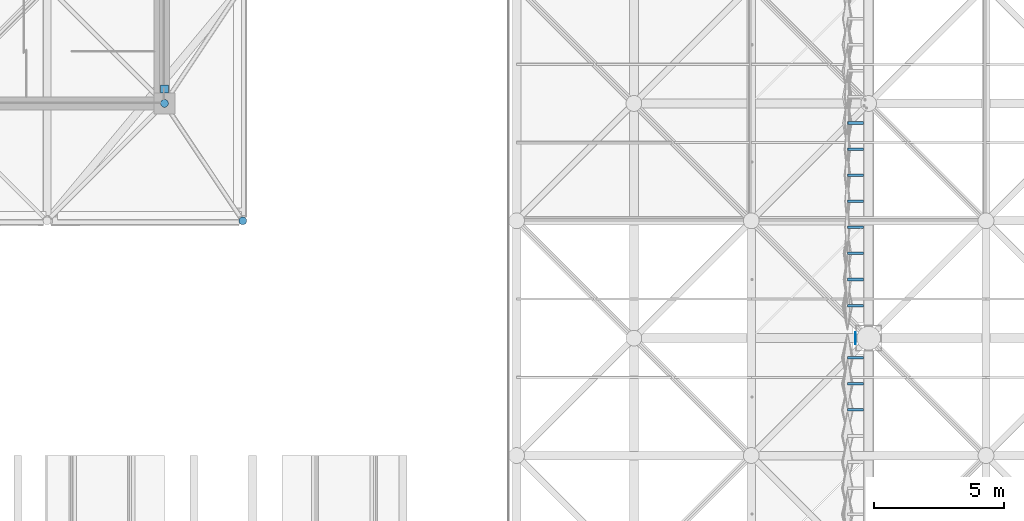
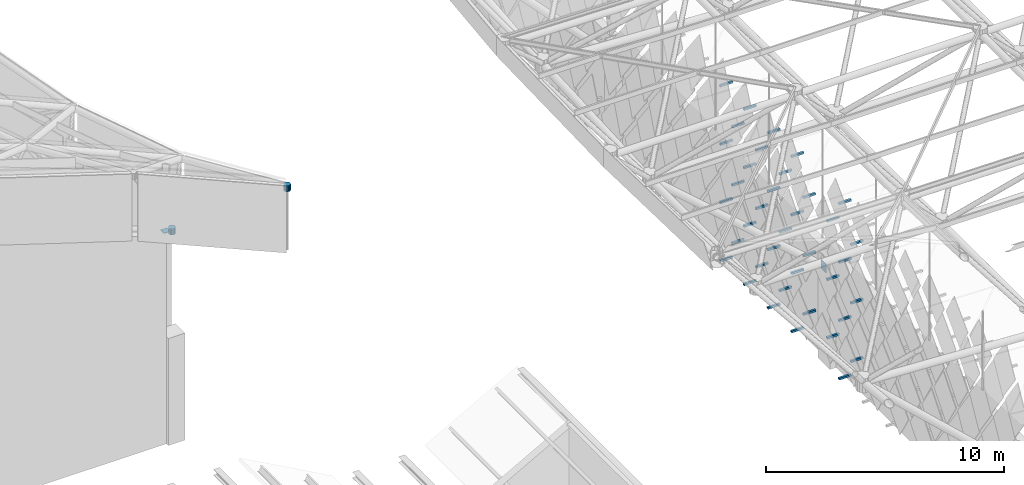
# One storey, part 360 of 437: 42 discrete accessories.
"""IFC4 building model written with IfcOpenShell, lengths in metres."""

from ifc_helpers import new_model, si_unit, direction, frame, origin, origin_2d, place, context, subcontext, project, spatial, polyline, rectangle, outline, extrude, material, layer, layer_set, type_object, element, save


model = new_model("IFC4")

# Units and contexts
model_context = context("Model", 3, precision=1e-05, world=origin(), true_north=direction((0.0, 1.0)))
body_context = subcontext(model_context, "Body", "Model", "MODEL_VIEW")
ifc_project = project(units=[si_unit("LENGTHUNIT", "METRE"), si_unit("AREAUNIT", "SQUARE_METRE"), si_unit("VOLUMEUNIT", "CUBIC_METRE"), si_unit("PLANEANGLEUNIT", "RADIAN"), si_unit("MASSUNIT", "GRAM", prefix="KILO")], contexts=[model_context])

# Site, building, storey
site_placement = place(None, origin())
site = spatial("IfcSite", under=ifc_project, at=site_placement, CompositionType="ELEMENT")
building_placement = place(site_placement, origin())
building = spatial("IfcBuilding", under=site, at=building_placement, Name="Opaline Strait Convention Centre", CompositionType="ELEMENT")
storey_placement = place(building_placement, frame((0.0, 0.0, 11.5)))
storey = spatial("IfcBuildingStorey", under=building, at=storey_placement, Name="L02", CompositionType="ELEMENT", Elevation=11.5)

# Discrete accessories
ifc_material_1 = material(Name="Steel Q355B", Category="steel")
ifc_layer_1 = layer(ifc_material_1, 0.02001953125)
ifc_layer_set_1 = layer_set([ifc_layer_1], Name="Steel Q355B")
discrete_accessory_type_1 = type_object("IfcDiscreteAccessoryType", Name="Cast-in anchor plate 300 x 300 x 20", PredefinedType="ANCHORPLATE", material=ifc_layer_set_1)
discrete_accessory_1_placement = place(storey_placement, frame((72.0, 117.5498046875, 10.3134765625), z_axis=(0.0, 0.0, 1.0), x_axis=(1.0, 0.0, 0.0)))
element("IfcDiscreteAccessory", 1, at=discrete_accessory_1_placement, inside=storey, type_object=discrete_accessory_type_1, Name="Cast-in anchor plate at PWB1 web 8-1ad", PredefinedType="ANCHORPLATE", context=body_context, shape_type="SweptSolid", body=[
    extrude(rectangle(XDim=0.300048828125, YDim=0.300048828125, at=origin_2d()), origin(), (0.0, 0.0, 1.0), 0.02001953125),
])
ifc_material_2 = material(Name="Structural steel Q355B", Category="steel")
ifc_layer_2 = layer(ifc_material_2, 0.01611328125)
ifc_layer_set_2 = layer_set([ifc_layer_2], Name="Structural steel Q355B")
discrete_accessory_type_2 = type_object("IfcDiscreteAccessoryType", Name="Prop bearing plate 450 x 450 x 16", PredefinedType="ANCHORPLATE", material=ifc_layer_set_2)
discrete_accessory_2_placement = place(storey_placement, frame((0.0, 0.0, 4.7890625)))
element("IfcDiscreteAccessory", 2, at=discrete_accessory_2_placement, inside=storey, type_object=discrete_accessory_type_2, Name="Prop bearing plate 99/108 W", PredefinedType="ANCHORPLATE", context=body_context, shape_type="SweptSolid", body=[
    extrude(outline(polyline([(98.48388671875, 107.77490234375), (98.5, 107.77490234375), (98.5, 108.22509765625), (98.48388671875, 108.22509765625), (98.48388671875, 107.77490234375)])), origin(), (0.0, 0.0, 1.0), 0.449951171875),
])
ifc_material_3 = material(Name="Cast steel ZG300-500H (300 MPa)", Category="steel")
discrete_accessory_type_3 = type_object("IfcDiscreteAccessoryType", Name="Shell node hub D300 cast steel", PredefinedType="USERDEFINED", material=ifc_material_3)
discrete_accessory_3_placement = place(storey_placement, frame((0.0, 0.0, 10.5400390625)))
element("IfcDiscreteAccessory", 3, at=discrete_accessory_3_placement, inside=storey, type_object=discrete_accessory_type_3, Name="PNH1 node hub B8-1", ObjectType="NODE HUB", PredefinedType="USERDEFINED", context=body_context, shape_type="SweptSolid", body=[
    extrude(outline(polyline([(72.14990234375, 117.02978515625), (72.127197265625, 117.0849609375), (72.0849609375, 117.127197265625), (72.02978515625, 117.14990234375), (71.97021484375, 117.14990234375), (71.9150390625, 117.127197265625), (71.872802734375, 117.0849609375), (71.85009765625, 117.02978515625), (71.85009765625, 116.97021484375), (71.872802734375, 116.9150390625), (71.9150390625, 116.872802734375), (71.97021484375, 116.85009765625), (72.02978515625, 116.85009765625), (72.0849609375, 116.872802734375), (72.127197265625, 116.9150390625), (72.14990234375, 116.97021484375), (72.14990234375, 117.02978515625)])), origin(), (0.0, 0.0, 1.0), 0.31005859375),
])
discrete_accessory_4_placement = place(storey_placement, frame((0.0, 0.0, 14.43603515625)))
element("IfcDiscreteAccessory", 4, at=discrete_accessory_4_placement, inside=storey, type_object=discrete_accessory_type_3, Name="PNH1 node hub T9-1", ObjectType="NODE HUB", PredefinedType="USERDEFINED", context=body_context, shape_type="SweptSolid", body=[
    extrude(outline(polyline([(75.14990234375, 112.52978515625), (75.127197265625, 112.5849609375), (75.0849609375, 112.627197265625), (75.02978515625, 112.64990234375), (74.97021484375, 112.64990234375), (74.9150390625, 112.627197265625), (74.872802734375, 112.5849609375), (74.85009765625, 112.52978515625), (74.85009765625, 112.47021484375), (74.872802734375, 112.4150390625), (74.9150390625, 112.372802734375), (74.97021484375, 112.35009765625), (75.02978515625, 112.35009765625), (75.0849609375, 112.372802734375), (75.127197265625, 112.4150390625), (75.14990234375, 112.47021484375), (75.14990234375, 112.52978515625)])), origin(), (0.0, 0.0, 1.0), 0.31005859375),
])
discrete_accessory_type_4 = type_object("IfcDiscreteAccessoryType", Name="Tile bracket 100x100 steel", PredefinedType="BRACKET", material=ifc_material_1)
discrete_accessory_5_placement = place(storey_placement, frame((98.800048828125, 116.300048828125, 0.39208984375), z_axis=(0.0, -1.0, 0.0), x_axis=(1.0, 0.0, 0.0)))
element("IfcDiscreteAccessory", 5, at=discrete_accessory_5_placement, inside=storey, type_object=discrete_accessory_type_4, Name="Tile bracket XT06 W", PredefinedType="BRACKET", context=body_context, shape_type="SweptSolid", body=[
    extrude(outline(polyline([(0.0, -0.050048828125), (0.0, 0.050048828125), (-0.6025390625, 0.050048828125), (-0.597412109375, -0.050048828125), (0.0, -0.050048828125)])), origin(), (0.0, 0.0, 1.0), 0.10009765625),
])
discrete_accessory_6_placement = place(storey_placement, frame((98.800048828125, 114.300048828125, 0.39208984375), z_axis=(0.0, -1.0, 0.0), x_axis=(1.0, 0.0, 0.0)))
element("IfcDiscreteAccessory", 6, at=discrete_accessory_6_placement, inside=storey, type_object=discrete_accessory_type_4, Name="Tile bracket XT08 W", PredefinedType="BRACKET", context=body_context, shape_type="SweptSolid", body=[
    extrude(outline(polyline([(0.0, -0.050048828125), (0.0, 0.050048828125), (-0.603515625, 0.050048828125), (-0.596435546875, -0.050048828125), (0.0, -0.050048828125)])), origin(), (0.0, 0.0, 1.0), 0.10009765625),
])
discrete_accessory_7_placement = place(storey_placement, frame((98.800048828125, 112.300048828125, 0.39208984375), z_axis=(0.0, -1.0, 0.0), x_axis=(1.0, 0.0, 0.0)))
element("IfcDiscreteAccessory", 7, at=discrete_accessory_7_placement, inside=storey, type_object=discrete_accessory_type_4, Name="Tile bracket XT13 W", PredefinedType="BRACKET", context=body_context, shape_type="SweptSolid", body=[
    extrude(outline(polyline([(0.0, -0.050048828125), (0.0, 0.050048828125), (-0.605712890625, 0.050048828125), (-0.59423828125, -0.050048828125), (0.0, -0.050048828125)])), origin(), (0.0, 0.0, 1.0), 0.10009765625),
])
for number, where, z_axis, x_axis, name in (
    (8, (98.800048828125, 110.300048828125, 0.39208984375), (0.0, -1.0, 0.0), (1.0, 0.0, 0.0), "Tile bracket XT16 W"),
    (9, (98.800048828125, 106.300048828125, 0.39208984375), (0.0, -1.0, 0.0), (1.0, 0.0, 0.0), "Tile bracket XT16 W"),
):
    element("IfcDiscreteAccessory", number, at=place(storey_placement, frame(where, z_axis=z_axis, x_axis=x_axis)), inside=storey, type_object=discrete_accessory_type_4, Name=name, PredefinedType="BRACKET", context=body_context, shape_type="SweptSolid", body=[
        extrude(outline(polyline([(0.0, -0.050048828125), (0.0, 0.050048828125), (-0.60693359375, 0.050048828125), (-0.593017578125, -0.050048828125), (0.0, -0.050048828125)])), origin(), (0.0, 0.0, 1.0), 0.10009765625),
    ])
discrete_accessory_8_placement = place(storey_placement, frame((98.800048828125, 115.300048828125, 1.89208984375), z_axis=(0.0, -1.0, 0.0), x_axis=(1.0, 0.0, 0.0)))
element("IfcDiscreteAccessory", 10, at=discrete_accessory_8_placement, inside=storey, type_object=discrete_accessory_type_4, Name="Tile bracket XT06 W", PredefinedType="BRACKET", context=body_context, shape_type="SweptSolid", body=[
    extrude(outline(polyline([(0.0, -0.050048828125), (0.0, 0.050048828125), (-0.6025390625, 0.050048828125), (-0.597412109375, -0.050048828125), (0.0, -0.050048828125)])), origin(), (0.0, 0.0, 1.0), 0.10009765625),
])
discrete_accessory_9_placement = place(storey_placement, frame((98.800048828125, 113.300048828125, 1.89208984375), z_axis=(0.0, -1.0, 0.0), x_axis=(1.0, 0.0, 0.0)))
element("IfcDiscreteAccessory", 11, at=discrete_accessory_9_placement, inside=storey, type_object=discrete_accessory_type_4, Name="Tile bracket XT07 W", PredefinedType="BRACKET", context=body_context, shape_type="SweptSolid", body=[
    extrude(outline(polyline([(0.0, -0.050048828125), (0.0, 0.050048828125), (-0.60302734375, 0.050048828125), (-0.596923828125, -0.050048828125), (0.0, -0.050048828125)])), origin(), (0.0, 0.0, 1.0), 0.10009765625),
])
discrete_accessory_10_placement = place(storey_placement, frame((98.800048828125, 111.300048828125, 1.89208984375), z_axis=(0.0, -1.0, 0.0), x_axis=(1.0, 0.0, 0.0)))
element("IfcDiscreteAccessory", 12, at=discrete_accessory_10_placement, inside=storey, type_object=discrete_accessory_type_4, Name="Tile bracket XT12 W", PredefinedType="BRACKET", context=body_context, shape_type="SweptSolid", body=[
    extrude(outline(polyline([(0.0, -0.050048828125), (0.0, 0.050048828125), (-0.605224609375, 0.050048828125), (-0.5947265625, -0.050048828125), (0.0, -0.050048828125)])), origin(), (0.0, 0.0, 1.0), 0.10009765625),
])
discrete_accessory_11_placement = place(storey_placement, frame((98.800048828125, 109.300048828125, 1.89208984375), z_axis=(0.0, -1.0, 0.0), x_axis=(1.0, 0.0, 0.0)))
element("IfcDiscreteAccessory", 13, at=discrete_accessory_11_placement, inside=storey, type_object=discrete_accessory_type_4, Name="Tile bracket XT16 W", PredefinedType="BRACKET", context=body_context, shape_type="SweptSolid", body=[
    extrude(outline(polyline([(0.0, -0.050048828125), (0.0, 0.050048828125), (-0.60693359375, 0.050048828125), (-0.593017578125, -0.050048828125), (0.0, -0.050048828125)])), origin(), (0.0, 0.0, 1.0), 0.10009765625),
])
discrete_accessory_12_placement = place(storey_placement, frame((98.800048828125, 107.300048828125, 1.89208984375), z_axis=(0.0, -1.0, 0.0), x_axis=(1.0, 0.0, 0.0)))
element("IfcDiscreteAccessory", 14, at=discrete_accessory_12_placement, inside=storey, type_object=discrete_accessory_type_4, Name="Tile bracket XT17 W", PredefinedType="BRACKET", context=body_context, shape_type="SweptSolid", body=[
    extrude(outline(polyline([(0.0, -0.050048828125), (0.0, 0.050048828125), (-0.607421875, 0.050048828125), (-0.592529296875, -0.050048828125), (0.0, -0.050048828125)])), origin(), (0.0, 0.0, 1.0), 0.10009765625),
])
discrete_accessory_13_placement = place(storey_placement, frame((98.800048828125, 105.300048828125, 1.89208984375), z_axis=(0.0, -1.0, 0.0), x_axis=(1.0, 0.0, 0.0)))
element("IfcDiscreteAccessory", 15, at=discrete_accessory_13_placement, inside=storey, type_object=discrete_accessory_type_4, Name="Tile bracket XT16 W", PredefinedType="BRACKET", context=body_context, shape_type="SweptSolid", body=[
    extrude(outline(polyline([(0.0, -0.050048828125), (0.0, 0.050048828125), (-0.60693359375, 0.050048828125), (-0.593017578125, -0.050048828125), (0.0, -0.050048828125)])), origin(), (0.0, 0.0, 1.0), 0.10009765625),
])
discrete_accessory_14_placement = place(storey_placement, frame((98.800048828125, 116.300048828125, 3.39208984375), z_axis=(0.0, -1.0, 0.0), x_axis=(1.0, 0.0, 0.0)))
element("IfcDiscreteAccessory", 16, at=discrete_accessory_14_placement, inside=storey, type_object=discrete_accessory_type_4, Name="Tile bracket XT06 W", PredefinedType="BRACKET", context=body_context, shape_type="SweptSolid", body=[
    extrude(outline(polyline([(0.0, -0.050048828125), (0.0, 0.050048828125), (-0.597412109375, 0.050048828125), (-0.6025390625, -0.050048828125), (0.0, -0.050048828125)])), origin(), (0.0, 0.0, 1.0), 0.10009765625),
])
discrete_accessory_15_placement = place(storey_placement, frame((98.800048828125, 114.300048828125, 3.39208984375), z_axis=(0.0, -1.0, 0.0), x_axis=(1.0, 0.0, 0.0)))
element("IfcDiscreteAccessory", 17, at=discrete_accessory_15_placement, inside=storey, type_object=discrete_accessory_type_4, Name="Tile bracket XT06 W", PredefinedType="BRACKET", context=body_context, shape_type="SweptSolid", body=[
    extrude(outline(polyline([(0.0, -0.050048828125), (0.0, 0.050048828125), (-0.6025390625, 0.050048828125), (-0.597412109375, -0.050048828125), (0.0, -0.050048828125)])), origin(), (0.0, 0.0, 1.0), 0.10009765625),
])
discrete_accessory_16_placement = place(storey_placement, frame((98.800048828125, 112.300048828125, 3.39208984375), z_axis=(0.0, -1.0, 0.0), x_axis=(1.0, 0.0, 0.0)))
element("IfcDiscreteAccessory", 18, at=discrete_accessory_16_placement, inside=storey, type_object=discrete_accessory_type_4, Name="Tile bracket XT07 W", PredefinedType="BRACKET", context=body_context, shape_type="SweptSolid", body=[
    extrude(outline(polyline([(0.0, -0.050048828125), (0.0, 0.050048828125), (-0.60302734375, 0.050048828125), (-0.596923828125, -0.050048828125), (0.0, -0.050048828125)])), origin(), (0.0, 0.0, 1.0), 0.10009765625),
])
discrete_accessory_17_placement = place(storey_placement, frame((98.800048828125, 110.300048828125, 3.39208984375), z_axis=(0.0, -1.0, 0.0), x_axis=(1.0, 0.0, 0.0)))
element("IfcDiscreteAccessory", 19, at=discrete_accessory_17_placement, inside=storey, type_object=discrete_accessory_type_4, Name="Tile bracket XT12 W", PredefinedType="BRACKET", context=body_context, shape_type="SweptSolid", body=[
    extrude(outline(polyline([(0.0, -0.050048828125), (0.0, 0.050048828125), (-0.605224609375, 0.050048828125), (-0.5947265625, -0.050048828125), (0.0, -0.050048828125)])), origin(), (0.0, 0.0, 1.0), 0.10009765625),
])
discrete_accessory_18_placement = place(storey_placement, frame((98.800048828125, 106.300048828125, 3.39208984375), z_axis=(0.0, -1.0, 0.0), x_axis=(1.0, 0.0, 0.0)))
element("IfcDiscreteAccessory", 20, at=discrete_accessory_18_placement, inside=storey, type_object=discrete_accessory_type_4, Name="Tile bracket XT17 W", PredefinedType="BRACKET", context=body_context, shape_type="SweptSolid", body=[
    extrude(outline(polyline([(0.0, -0.050048828125), (0.0, 0.050048828125), (-0.607421875, 0.050048828125), (-0.592529296875, -0.050048828125), (0.0, -0.050048828125)])), origin(), (0.0, 0.0, 1.0), 0.10009765625),
])
discrete_accessory_19_placement = place(storey_placement, frame((98.800048828125, 115.300048828125, 4.89208984375), z_axis=(0.0, -1.0, 0.0), x_axis=(1.0, 0.0, 0.0)))
element("IfcDiscreteAccessory", 21, at=discrete_accessory_19_placement, inside=storey, type_object=discrete_accessory_type_4, Name="Tile bracket XT06 W", PredefinedType="BRACKET", context=body_context, shape_type="SweptSolid", body=[
    extrude(outline(polyline([(0.0, -0.050048828125), (0.0, 0.050048828125), (-0.597412109375, 0.050048828125), (-0.6025390625, -0.050048828125), (0.0, -0.050048828125)])), origin(), (0.0, 0.0, 1.0), 0.10009765625),
])
discrete_accessory_20_placement = place(storey_placement, frame((98.800048828125, 113.300048828125, 4.89208984375), z_axis=(0.0, -1.0, 0.0), x_axis=(1.0, 0.0, 0.0)))
element("IfcDiscreteAccessory", 22, at=discrete_accessory_20_placement, inside=storey, type_object=discrete_accessory_type_4, Name="Tile bracket XT06 W", PredefinedType="BRACKET", context=body_context, shape_type="SweptSolid", body=[
    extrude(outline(polyline([(0.0, -0.050048828125), (0.0, 0.050048828125), (-0.6025390625, 0.050048828125), (-0.597412109375, -0.050048828125), (0.0, -0.050048828125)])), origin(), (0.0, 0.0, 1.0), 0.10009765625),
])
discrete_accessory_21_placement = place(storey_placement, frame((98.800048828125, 111.300048828125, 4.89208984375), z_axis=(0.0, -1.0, 0.0), x_axis=(1.0, 0.0, 0.0)))
element("IfcDiscreteAccessory", 23, at=discrete_accessory_21_placement, inside=storey, type_object=discrete_accessory_type_4, Name="Tile bracket XT07 W", PredefinedType="BRACKET", context=body_context, shape_type="SweptSolid", body=[
    extrude(outline(polyline([(0.0, -0.050048828125), (0.0, 0.050048828125), (-0.60302734375, 0.050048828125), (-0.596923828125, -0.050048828125), (0.0, -0.050048828125)])), origin(), (0.0, 0.0, 1.0), 0.10009765625),
])
discrete_accessory_22_placement = place(storey_placement, frame((98.800048828125, 109.300048828125, 4.89208984375), z_axis=(0.0, -1.0, 0.0), x_axis=(1.0, 0.0, 0.0)))
element("IfcDiscreteAccessory", 24, at=discrete_accessory_22_placement, inside=storey, type_object=discrete_accessory_type_4, Name="Tile bracket XT12 W", PredefinedType="BRACKET", context=body_context, shape_type="SweptSolid", body=[
    extrude(outline(polyline([(0.0, -0.050048828125), (0.0, 0.050048828125), (-0.605224609375, 0.050048828125), (-0.5947265625, -0.050048828125), (0.0, -0.050048828125)])), origin(), (0.0, 0.0, 1.0), 0.10009765625),
])
discrete_accessory_23_placement = place(storey_placement, frame((98.800048828125, 107.300048828125, 4.89208984375), z_axis=(0.0, -1.0, 0.0), x_axis=(1.0, 0.0, 0.0)))
element("IfcDiscreteAccessory", 25, at=discrete_accessory_23_placement, inside=storey, type_object=discrete_accessory_type_4, Name="Tile bracket XT15 W", PredefinedType="BRACKET", context=body_context, shape_type="SweptSolid", body=[
    extrude(outline(polyline([(0.0, -0.050048828125), (0.0, 0.050048828125), (-0.606689453125, 0.050048828125), (-0.593505859375, -0.050048828125), (0.0, -0.050048828125)])), origin(), (0.0, 0.0, 1.0), 0.10009765625),
])
discrete_accessory_24_placement = place(storey_placement, frame((98.800048828125, 105.300048828125, 4.89208984375), z_axis=(0.0, -1.0, 0.0), x_axis=(1.0, 0.0, 0.0)))
element("IfcDiscreteAccessory", 26, at=discrete_accessory_24_placement, inside=storey, type_object=discrete_accessory_type_4, Name="Tile bracket XT17 W", PredefinedType="BRACKET", context=body_context, shape_type="SweptSolid", body=[
    extrude(outline(polyline([(0.0, -0.050048828125), (0.0, 0.050048828125), (-0.607421875, 0.050048828125), (-0.592529296875, -0.050048828125), (0.0, -0.050048828125)])), origin(), (0.0, 0.0, 1.0), 0.10009765625),
])
discrete_accessory_25_placement = place(storey_placement, frame((98.800048828125, 116.300048828125, 6.39208984375), z_axis=(0.0, -1.0, 0.0), x_axis=(1.0, 0.0, 0.0)))
element("IfcDiscreteAccessory", 27, at=discrete_accessory_25_placement, inside=storey, type_object=discrete_accessory_type_4, Name="Tile bracket XT10 W", PredefinedType="BRACKET", context=body_context, shape_type="SweptSolid", body=[
    extrude(outline(polyline([(0.0, -0.050048828125), (0.0, 0.050048828125), (-0.595703125, 0.050048828125), (-0.604248046875, -0.050048828125), (0.0, -0.050048828125)])), origin(), (0.0, 0.0, 1.0), 0.10009765625),
])
discrete_accessory_26_placement = place(storey_placement, frame((98.800048828125, 114.300048828125, 6.39208984375), z_axis=(0.0, -1.0, 0.0), x_axis=(1.0, 0.0, 0.0)))
element("IfcDiscreteAccessory", 28, at=discrete_accessory_26_placement, inside=storey, type_object=discrete_accessory_type_4, Name="Tile bracket XT06 W", PredefinedType="BRACKET", context=body_context, shape_type="SweptSolid", body=[
    extrude(outline(polyline([(0.0, -0.050048828125), (0.0, 0.050048828125), (-0.597412109375, 0.050048828125), (-0.6025390625, -0.050048828125), (0.0, -0.050048828125)])), origin(), (0.0, 0.0, 1.0), 0.10009765625),
])
discrete_accessory_27_placement = place(storey_placement, frame((98.800048828125, 112.300048828125, 6.39208984375), z_axis=(0.0, -1.0, 0.0), x_axis=(1.0, 0.0, 0.0)))
element("IfcDiscreteAccessory", 29, at=discrete_accessory_27_placement, inside=storey, type_object=discrete_accessory_type_4, Name="Tile bracket XT06 W", PredefinedType="BRACKET", context=body_context, shape_type="SweptSolid", body=[
    extrude(outline(polyline([(0.0, -0.050048828125), (0.0, 0.050048828125), (-0.6025390625, 0.050048828125), (-0.597412109375, -0.050048828125), (0.0, -0.050048828125)])), origin(), (0.0, 0.0, 1.0), 0.10009765625),
])
discrete_accessory_28_placement = place(storey_placement, frame((98.800048828125, 110.300048828125, 6.39208984375), z_axis=(0.0, -1.0, 0.0), x_axis=(1.0, 0.0, 0.0)))
element("IfcDiscreteAccessory", 30, at=discrete_accessory_28_placement, inside=storey, type_object=discrete_accessory_type_4, Name="Tile bracket XT07 W", PredefinedType="BRACKET", context=body_context, shape_type="SweptSolid", body=[
    extrude(outline(polyline([(0.0, -0.050048828125), (0.0, 0.050048828125), (-0.60302734375, 0.050048828125), (-0.596923828125, -0.050048828125), (0.0, -0.050048828125)])), origin(), (0.0, 0.0, 1.0), 0.10009765625),
])
discrete_accessory_29_placement = place(storey_placement, frame((98.800048828125, 106.300048828125, 6.39208984375), z_axis=(0.0, -1.0, 0.0), x_axis=(1.0, 0.0, 0.0)))
element("IfcDiscreteAccessory", 31, at=discrete_accessory_29_placement, inside=storey, type_object=discrete_accessory_type_4, Name="Tile bracket XT15 W", PredefinedType="BRACKET", context=body_context, shape_type="SweptSolid", body=[
    extrude(outline(polyline([(0.0, -0.050048828125), (0.0, 0.050048828125), (-0.606689453125, 0.050048828125), (-0.593505859375, -0.050048828125), (0.0, -0.050048828125)])), origin(), (0.0, 0.0, 1.0), 0.10009765625),
])
discrete_accessory_30_placement = place(storey_placement, frame((98.800048828125, 115.300048828125, 7.89208984375), z_axis=(0.0, -1.0, 0.0), x_axis=(1.0, 0.0, 0.0)))
element("IfcDiscreteAccessory", 32, at=discrete_accessory_30_placement, inside=storey, type_object=discrete_accessory_type_4, Name="Tile bracket XT10 W", PredefinedType="BRACKET", context=body_context, shape_type="SweptSolid", body=[
    extrude(outline(polyline([(0.0, -0.050048828125), (0.0, 0.050048828125), (-0.595703125, 0.050048828125), (-0.604248046875, -0.050048828125), (0.0, -0.050048828125)])), origin(), (0.0, 0.0, 1.0), 0.10009765625),
])
discrete_accessory_31_placement = place(storey_placement, frame((98.800048828125, 113.300048828125, 7.89208984375), z_axis=(0.0, -1.0, 0.0), x_axis=(1.0, 0.0, 0.0)))
element("IfcDiscreteAccessory", 33, at=discrete_accessory_31_placement, inside=storey, type_object=discrete_accessory_type_4, Name="Tile bracket XT06 W", PredefinedType="BRACKET", context=body_context, shape_type="SweptSolid", body=[
    extrude(outline(polyline([(0.0, -0.050048828125), (0.0, 0.050048828125), (-0.597412109375, 0.050048828125), (-0.6025390625, -0.050048828125), (0.0, -0.050048828125)])), origin(), (0.0, 0.0, 1.0), 0.10009765625),
])
for number, where, z_axis, x_axis, name in (
    (34, (98.800048828125, 111.300048828125, 7.89208984375), (0.0, -1.0, 0.0), (1.0, 0.0, 0.0), "Tile bracket XT06 W"),
    (35, (98.800048828125, 109.300048828125, 7.89208984375), (0.0, -1.0, 0.0), (1.0, 0.0, 0.0), "Tile bracket XT06 W"),
):
    element("IfcDiscreteAccessory", number, at=place(storey_placement, frame(where, z_axis=z_axis, x_axis=x_axis)), inside=storey, type_object=discrete_accessory_type_4, Name=name, PredefinedType="BRACKET", context=body_context, shape_type="SweptSolid", body=[
        extrude(outline(polyline([(0.0, -0.050048828125), (0.0, 0.050048828125), (-0.6025390625, 0.050048828125), (-0.597412109375, -0.050048828125), (0.0, -0.050048828125)])), origin(), (0.0, 0.0, 1.0), 0.10009765625),
    ])
discrete_accessory_32_placement = place(storey_placement, frame((98.800048828125, 107.300048828125, 7.89208984375), z_axis=(0.0, -1.0, 0.0), x_axis=(1.0, 0.0, 0.0)))
element("IfcDiscreteAccessory", 36, at=discrete_accessory_32_placement, inside=storey, type_object=discrete_accessory_type_4, Name="Tile bracket XT11 W", PredefinedType="BRACKET", context=body_context, shape_type="SweptSolid", body=[
    extrude(outline(polyline([(0.0, -0.050048828125), (0.0, 0.050048828125), (-0.604736328125, 0.050048828125), (-0.59521484375, -0.050048828125), (0.0, -0.050048828125)])), origin(), (0.0, 0.0, 1.0), 0.10009765625),
])
discrete_accessory_33_placement = place(storey_placement, frame((98.800048828125, 105.300048828125, 7.89208984375), z_axis=(0.0, -1.0, 0.0), x_axis=(1.0, 0.0, 0.0)))
element("IfcDiscreteAccessory", 37, at=discrete_accessory_33_placement, inside=storey, type_object=discrete_accessory_type_4, Name="Tile bracket XT15 W", PredefinedType="BRACKET", context=body_context, shape_type="SweptSolid", body=[
    extrude(outline(polyline([(0.0, -0.050048828125), (0.0, 0.050048828125), (-0.606689453125, 0.050048828125), (-0.593505859375, -0.050048828125), (0.0, -0.050048828125)])), origin(), (0.0, 0.0, 1.0), 0.10009765625),
])
discrete_accessory_34_placement = place(storey_placement, frame((98.800048828125, 116.300048828125, 9.39208984375), z_axis=(0.0, -1.0, 0.0), x_axis=(1.0, 0.0, 0.0)))
element("IfcDiscreteAccessory", 38, at=discrete_accessory_34_placement, inside=storey, type_object=discrete_accessory_type_4, Name="Tile bracket XT14 W", PredefinedType="BRACKET", context=body_context, shape_type="SweptSolid", body=[
    extrude(outline(polyline([(0.0, -0.050048828125), (0.0, 0.050048828125), (-0.59375, 0.050048828125), (-0.606201171875, -0.050048828125), (0.0, -0.050048828125)])), origin(), (0.0, 0.0, 1.0), 0.10009765625),
])
discrete_accessory_35_placement = place(storey_placement, frame((98.800048828125, 114.300048828125, 9.39208984375), z_axis=(0.0, -1.0, 0.0), x_axis=(1.0, 0.0, 0.0)))
element("IfcDiscreteAccessory", 39, at=discrete_accessory_35_placement, inside=storey, type_object=discrete_accessory_type_4, Name="Tile bracket XT10 W", PredefinedType="BRACKET", context=body_context, shape_type="SweptSolid", body=[
    extrude(outline(polyline([(0.0, -0.050048828125), (0.0, 0.050048828125), (-0.595703125, 0.050048828125), (-0.604248046875, -0.050048828125), (0.0, -0.050048828125)])), origin(), (0.0, 0.0, 1.0), 0.10009765625),
])
discrete_accessory_36_placement = place(storey_placement, frame((98.800048828125, 112.300048828125, 9.39208984375), z_axis=(0.0, -1.0, 0.0), x_axis=(1.0, 0.0, 0.0)))
element("IfcDiscreteAccessory", 40, at=discrete_accessory_36_placement, inside=storey, type_object=discrete_accessory_type_4, Name="Tile bracket XT06 W", PredefinedType="BRACKET", context=body_context, shape_type="SweptSolid", body=[
    extrude(outline(polyline([(0.0, -0.050048828125), (0.0, 0.050048828125), (-0.597412109375, 0.050048828125), (-0.6025390625, -0.050048828125), (0.0, -0.050048828125)])), origin(), (0.0, 0.0, 1.0), 0.10009765625),
])
discrete_accessory_37_placement = place(storey_placement, frame((98.800048828125, 110.300048828125, 9.39208984375), z_axis=(0.0, -1.0, 0.0), x_axis=(1.0, 0.0, 0.0)))
element("IfcDiscreteAccessory", 41, at=discrete_accessory_37_placement, inside=storey, type_object=discrete_accessory_type_4, Name="Tile bracket XT06 W", PredefinedType="BRACKET", context=body_context, shape_type="SweptSolid", body=[
    extrude(outline(polyline([(0.0, -0.050048828125), (0.0, 0.050048828125), (-0.6025390625, 0.050048828125), (-0.597412109375, -0.050048828125), (0.0, -0.050048828125)])), origin(), (0.0, 0.0, 1.0), 0.10009765625),
])
discrete_accessory_38_placement = place(storey_placement, frame((98.800048828125, 106.300048828125, 9.39208984375), z_axis=(0.0, -1.0, 0.0), x_axis=(1.0, 0.0, 0.0)))
element("IfcDiscreteAccessory", 42, at=discrete_accessory_38_placement, inside=storey, type_object=discrete_accessory_type_4, Name="Tile bracket XT11 W", PredefinedType="BRACKET", context=body_context, shape_type="SweptSolid", body=[
    extrude(outline(polyline([(0.0, -0.050048828125), (0.0, 0.050048828125), (-0.604736328125, 0.050048828125), (-0.59521484375, -0.050048828125), (0.0, -0.050048828125)])), origin(), (0.0, 0.0, 1.0), 0.10009765625),
])

save(model, "model.ifc")
